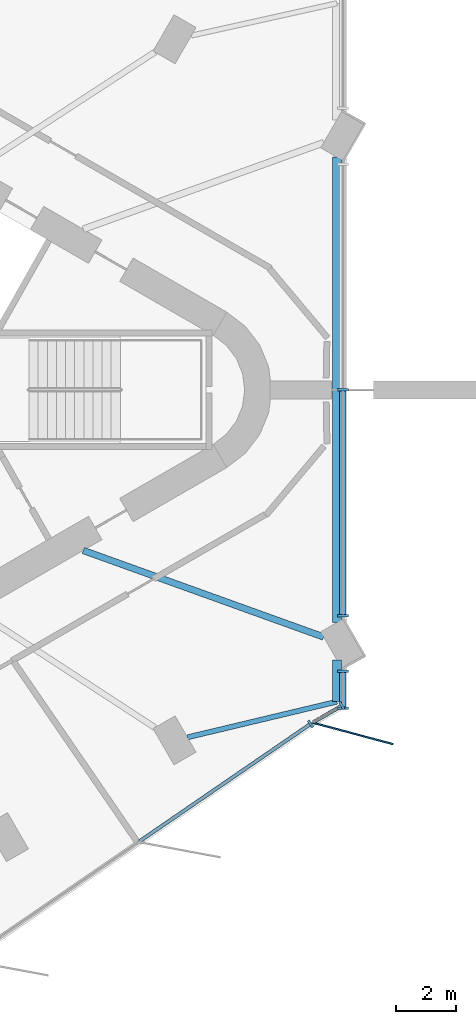
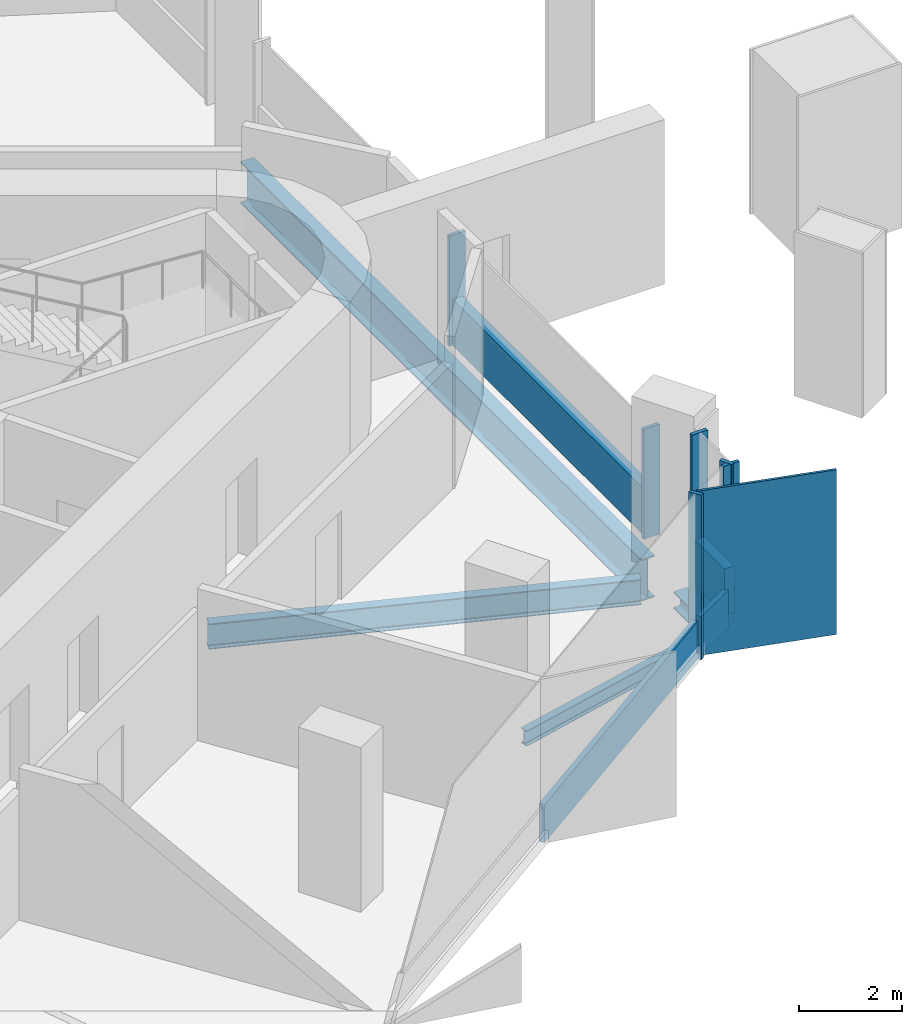
# One storey, part 3 of 12: 11 members, 4 beams, 4 elements without a shape of their own.
"""IFC4 building model written with IfcOpenShell, lengths in metres."""

from ifc_helpers import new_model, si_unit, direction, frame, origin, origin_2d, place, context, subcontext, project, spatial, rectangle, i_section, extrude, material, material_profile, profile_set, type_object, element, aggregate, save


model = new_model("IFC4")

# Units and contexts
model_context = context("Model", 3, precision=1e-05, world=origin(), true_north=direction((0.0, 1.0)))
body_context = subcontext(model_context, "Body", "Model", "MODEL_VIEW")
ifc_project = project(units=[si_unit("LENGTHUNIT", "METRE"), si_unit("AREAUNIT", "SQUARE_METRE"), si_unit("VOLUMEUNIT", "CUBIC_METRE"), si_unit("PLANEANGLEUNIT", "RADIAN"), si_unit("MASSUNIT", "GRAM", prefix="KILO")], contexts=[model_context])

# Site, building, storey
site_placement = place(None, origin())
site = spatial("IfcSite", under=ifc_project, at=site_placement, CompositionType="ELEMENT")
building_placement = place(site_placement, origin())
building = spatial("IfcBuilding", under=site, at=building_placement, Name="Tanit Gate Tower", CompositionType="ELEMENT")
storey_placement = place(building_placement, frame((0.0, 0.0, 376.699951171875)))
storey = spatial("IfcBuildingStorey", under=building, at=storey_placement, Name="L86", CompositionType="ELEMENT", Elevation=376.699951171875)

# Beams
ifc_material_1 = material(Name="Steel S355", Category="steel")
ifc_material_profile_1 = material_profile(ifc_material_1, i_section(OverallWidth=0.300048828125, OverallDepth=0.989990234375, WebThickness=0.0166015625, FlangeThickness=0.031005859375, FilletRadius=0.030029296875, at=origin_2d()), Name="HEA 1000")
ifc_profile_set_1 = profile_set([ifc_material_profile_1], Name="Steel S355")
beam_type_1 = type_object("IfcBeamType", Name="EDGE BEAM HEA 1000 S355", PredefinedType="BEAM", material=ifc_profile_set_1)
beam_1_placement = place(storey_placement, frame((23.3798828125, 7.7734375, -0.794921875), z_axis=(0.0, -1.0, 0.0), x_axis=(1.0, 0.0, 0.0)))
element("IfcBeam", 1, at=beam_1_placement, inside=storey, type_object=beam_type_1, Name="EDGE BEAM", PredefinedType="BEAM", context=body_context, shape_type="SweptSolid", body=[
    extrude(i_section(OverallWidth=0.300048828125, OverallDepth=0.989990234375, WebThickness=0.0166015625, FlangeThickness=0.031005859375, FilletRadius=0.030029296875, at=origin_2d()), origin(), (0.0, 0.0, 1.0), 15.546875),
])
ifc_material_2 = material(Name="Steel S355", Category="steel")
ifc_material_profile_2 = material_profile(ifc_material_2, i_section(OverallWidth=0.300048828125, OverallDepth=0.389892578125, WebThickness=0.010986328125, FlangeThickness=0.01904296875, FilletRadius=0.027099609375, at=origin_2d()), Name="HEA 400")
ifc_profile_set_2 = profile_set([ifc_material_profile_2], Name="Steel S355")
beam_type_2 = type_object("IfcBeamType", Name="EDGE BEAM HEA 400 S355", PredefinedType="BEAM", material=ifc_profile_set_2)
beam_2_placement = place(storey_placement, frame((23.3798828125, -9.02197265625, -0.494873046875), z_axis=(0.0, -1.0, 0.0), x_axis=(1.0, 0.0, 0.0)))
element("IfcBeam", 2, at=beam_2_placement, inside=storey, type_object=beam_type_2, Name="EDGE BEAM", PredefinedType="BEAM", context=body_context, shape_type="SweptSolid", body=[
    extrude(i_section(OverallWidth=0.300048828125, OverallDepth=0.389892578125, WebThickness=0.010986328125, FlangeThickness=0.01904296875, FilletRadius=0.027099609375, at=origin_2d()), origin(), (0.0, 0.0, 1.0), 1.394775390625),
])

# Curtain wall, member
ifc_material_3 = material(Name="Aluminium bronze anodised and glass", Category="aluminium")
curtain_wall_type_1 = type_object("IfcCurtainWallType", Name="Curtain wall typical high", PredefinedType="NOTDEFINED", material=ifc_material_3)
curtain_wall_1_placement = place(storey_placement, origin())
curtain_wall_1 = element("IfcCurtainWall", 3, at=curtain_wall_1_placement, inside=storey, type_object=curtain_wall_type_1, Name="Curtain wall L86 SE3c", PredefinedType="NOTDEFINED")
ifc_material_4 = material(Name="Aluminium bronze anodised", Category="aluminium")
ifc_material_profile_3 = material_profile(ifc_material_4, rectangle(XDim=2.800048828125, YDim=0.055908203125, at=origin_2d()), Name="56x2800 bronze fin mullion")
ifc_profile_set_3 = profile_set([ifc_material_profile_3], Name="Aluminium bronze anodised")
member_type_1 = type_object("IfcMemberType", Name="FIN MULLION 56x2800 bronze", PredefinedType="MULLION", material=ifc_profile_set_3)
member_1_placement = place(storey_placement, frame((23.90185546875, -11.473388671875, -0.300048828125), z_axis=(0.0, 0.0, 1.0), x_axis=(-0.966279959812, 0.257493765489, 0.0)))
member_1 = element("IfcMember", 4, at=member_1_placement, type_object=member_type_1, Name="Fin mullion L86 SE3c.1", PredefinedType="MULLION", context=body_context, shape_type="SweptSolid", body=[
    extrude(rectangle(XDim=2.800048828125, YDim=0.055908203125, at=origin_2d()), origin(), (0.0, 0.0, 1.0), 3.900146484375),
])

curtain_wall_2_placement = place(storey_placement, origin())
curtain_wall_2 = element("IfcCurtainWall", 5, at=curtain_wall_2_placement, inside=storey, type_object=curtain_wall_type_1, Name="Curtain wall L86 SE2", PredefinedType="NOTDEFINED")
ifc_material_5 = material(Name="Aluminium bronze anodised", Category="aluminium")
ifc_material_profile_4 = material_profile(ifc_material_5, rectangle(XDim=0.280029296875, YDim=0.080078125, at=origin_2d()), Name="80x280 bronze mullion")
ifc_profile_set_4 = profile_set([ifc_material_profile_4], Name="Aluminium bronze anodised")
member_type_2 = type_object("IfcMemberType", Name="Mullion 80x280 typical high", PredefinedType="MULLION", material=ifc_profile_set_4)
member_2_placement = place(storey_placement, frame((22.50048828125, -11.16064453125, -0.300048828125), z_axis=(0.0, 0.0, 1.0), x_axis=(-0.565779513784, 0.824556572821, 0.0)))
member_2 = element("IfcMember", 6, at=member_2_placement, type_object=member_type_2, Name="Mullion L86 SE2.5", PredefinedType="MULLION", context=body_context, shape_type="SweptSolid", body=[
    extrude(rectangle(XDim=0.280029296875, YDim=0.080078125, at=origin_2d()), origin(), (0.0, 0.0, 1.0), 3.900146484375),
])

# Member
member_3_placement = place(storey_placement, frame((23.5458984375, -10.5517578125, -0.300048828125), z_axis=(0.0, 0.0, 1.0), x_axis=(-0.501187524417, 0.865338699798, 0.0)))
member_3 = element("IfcMember", 7, at=member_3_placement, type_object=member_type_2, Name="Mullion L86 SE3c.2", PredefinedType="MULLION", context=body_context, shape_type="SweptSolid", body=[
    extrude(rectangle(XDim=0.280029296875, YDim=0.080078125, at=origin_2d()), origin(), (0.0, 0.0, 1.0), 3.900146484375),
])

# Curtain wall, members
ifc_material_6 = material(Name="Aluminium bronze anodised and glass", Category="aluminium")
curtain_wall_type_2 = type_object("IfcCurtainWallType", Name="Curtain wall portal glazing", PredefinedType="NOTDEFINED", material=ifc_material_6)
curtain_wall_3_placement = place(storey_placement, origin())
curtain_wall_3 = element("IfcCurtainWall", 8, at=curtain_wall_3_placement, inside=storey, type_object=curtain_wall_type_2, Name="Curtain wall L86 NOTCH2", PredefinedType="NOTDEFINED")
ifc_material_7 = material(Name="Aluminium bronze anodised", Category="aluminium")
ifc_material_profile_5 = material_profile(ifc_material_7, rectangle(XDim=0.360107421875, YDim=0.080078125, at=origin_2d()), Name="80x360 bronze mullion")
ifc_profile_set_5 = profile_set([ifc_material_profile_5], Name="Aluminium bronze anodised")
member_type_3 = type_object("IfcMemberType", Name="Mullion 80x360 portal glazing", PredefinedType="MULLION", material=ifc_profile_set_5)
member_4_placement = place(storey_placement, frame((23.580078125, 0.0, 0.0), z_axis=(0.0, 0.0, 1.0), x_axis=(1.0, 0.0, 0.0)))
member_4 = element("IfcMember", 9, at=member_4_placement, type_object=member_type_3, Name="Mullion L86 NOTCH2.2", PredefinedType="MULLION", context=body_context, shape_type="SweptSolid", body=[
    extrude(rectangle(XDim=0.360107421875, YDim=0.080078125, at=origin_2d()), origin(), (0.0, 0.0, 1.0), 2.610107421875),
])
member_5_placement = place(storey_placement, frame((23.580078125, -7.540283203125, 0.0), z_axis=(0.0, 0.0, 1.0), x_axis=(1.0, 0.0, 0.0)))
member_5 = element("IfcMember", 10, at=member_5_placement, type_object=member_type_3, Name="Mullion L86 NOTCH2.3", PredefinedType="MULLION", context=body_context, shape_type="SweptSolid", body=[
    extrude(rectangle(XDim=0.360107421875, YDim=0.080078125, at=origin_2d()), origin(), (0.0, 0.0, 1.0), 2.610107421875),
])

curtain_wall_4_placement = place(storey_placement, origin())
curtain_wall_4 = element("IfcCurtainWall", 11, at=curtain_wall_4_placement, inside=storey, type_object=curtain_wall_type_2, Name="Curtain wall L86 NOTCH3", PredefinedType="NOTDEFINED")
member_6_placement = place(storey_placement, frame((23.580078125, -9.404541015625, 0.0), z_axis=(0.0, 0.0, 1.0), x_axis=(1.0, 0.0, 0.0)))
member_6 = element("IfcMember", 12, at=member_6_placement, type_object=member_type_3, Name="Mullion L86 NOTCH3.1", PredefinedType="MULLION", context=body_context, shape_type="SweptSolid", body=[
    extrude(rectangle(XDim=0.360107421875, YDim=0.080078125, at=origin_2d()), origin(), (0.0, 0.0, 1.0), 3.60009765625),
])
member_7_placement = place(storey_placement, frame((23.580078125, -10.630126953125, 0.0), z_axis=(0.0, 0.0, 1.0), x_axis=(1.0, 0.0, 0.0)))
member_7 = element("IfcMember", 13, at=member_7_placement, type_object=member_type_3, Name="Mullion L86 NOTCH3.2", PredefinedType="MULLION", context=body_context, shape_type="SweptSolid", body=[
    extrude(rectangle(XDim=0.360107421875, YDim=0.080078125, at=origin_2d()), origin(), (0.0, 0.0, 1.0), 3.60009765625),
])

# Beams
ifc_material_8 = material(Name="Steel S355", Category="steel")
ifc_material_profile_6 = material_profile(ifc_material_8, i_section(OverallWidth=0.219970703125, OverallDepth=0.60009765625, WebThickness=0.011962890625, FlangeThickness=0.01904296875, FilletRadius=0.02392578125, at=origin_2d()), Name="IPE 600")
ifc_profile_set_6 = profile_set([ifc_material_profile_6], Name="Steel S355")
beam_type_3 = type_object("IfcBeamType", Name="RADIAL GIRDER IPE 600 S355", PredefinedType="BEAM", material=ifc_profile_set_6)
beam_3_placement = place(storey_placement, frame((22.935302734375, -8.255615234375, -0.599853515625), z_axis=(-0.940899815791, 0.338685010952, 0.0), x_axis=(-0.338685010952, -0.940899815791, 0.0)))
element("IfcBeam", 14, at=beam_3_placement, inside=storey, type_object=beam_type_3, Name="RADIAL GIRDER", PredefinedType="BEAM", context=body_context, shape_type="SweptSolid", body=[
    extrude(i_section(OverallWidth=0.219970703125, OverallDepth=0.60009765625, WebThickness=0.011962890625, FlangeThickness=0.01904296875, FilletRadius=0.02392578125, at=origin_2d()), origin(), (0.0, 0.0, 1.0), 8.530517578125),
])
ifc_material_9 = material(Name="Steel S355", Category="steel")
ifc_material_profile_7 = material_profile(ifc_material_9, i_section(OverallWidth=0.169921875, OverallDepth=0.360107421875, WebThickness=0.008056640625, FlangeThickness=0.0126953125, FilletRadius=0.01806640625, at=origin_2d()), Name="IPE 360")
ifc_profile_set_7 = profile_set([ifc_material_profile_7], Name="Steel S355")
beam_type_4 = type_object("IfcBeamType", Name="RING BEAM IPE 360 S355", PredefinedType="BEAM", material=ifc_profile_set_7)
beam_4_placement = place(storey_placement, frame((23.3798828125, -10.416748046875, -0.47998046875), z_axis=(-0.972710676559, -0.232021420795, 0.0), x_axis=(0.232021420795, -0.972710676559, 0.0)))
element("IfcBeam", 15, at=beam_4_placement, inside=storey, type_object=beam_type_4, Name="RING BEAM", PredefinedType="BEAM", context=body_context, shape_type="SweptSolid", body=[
    extrude(i_section(OverallWidth=0.169921875, OverallDepth=0.360107421875, WebThickness=0.008056640625, FlangeThickness=0.0126953125, FilletRadius=0.01806640625, at=origin_2d()), origin(), (0.0, 0.0, 1.0), 5.1318359375),
])

# Member
ifc_material_10 = material(Name="Aluminium bronze anodised", Category="aluminium")
ifc_material_profile_8 = material_profile(ifc_material_10, rectangle(XDim=0.1201171875, YDim=0.89990234375, at=origin_2d()), Name="120x900 bronze transom")
ifc_profile_set_8 = profile_set([ifc_material_profile_8], Name="Aluminium bronze anodised")
member_type_4 = type_object("IfcMemberType", Name="Transom 120x900 typical high", PredefinedType="USERDEFINED", material=ifc_profile_set_8)
member_8_placement = place(storey_placement, frame((16.7841796875, -15.083251953125, 0.150146484375), z_axis=(0.824542837355, 0.565799531076, 0.0), x_axis=(-0.565799531076, 0.824542837355, 0.0)))
member_8 = element("IfcMember", 16, at=member_8_placement, type_object=member_type_4, Name="Transom L86 SE2.4", ObjectType="TRANSOM", PredefinedType="USERDEFINED", context=body_context, shape_type="SweptSolid", body=[
    extrude(rectangle(XDim=0.1201171875, YDim=0.89990234375, at=origin_2d()), origin(), (0.0, 0.0, 1.0), 6.892822265625),
])

aggregate(curtain_wall_2, [member_2, member_8])

member_9_placement = place(storey_placement, frame((22.602783203125, -11.09814453125, 0.150146484375), z_axis=(0.865251110065, 0.501338724348, 0.0), x_axis=(-0.501338724348, 0.865251110065, 0.0)))
member_9 = element("IfcMember", 17, at=member_9_placement, type_object=member_type_4, Name="Transom L86 SE3c.1", ObjectType="TRANSOM", PredefinedType="USERDEFINED", context=body_context, shape_type="SweptSolid", body=[
    extrude(rectangle(XDim=0.1201171875, YDim=0.89990234375, at=origin_2d()), origin(), (0.0, 0.0, 1.0), 1.0498046875),
])

aggregate(curtain_wall_1, [member_1, member_3, member_9])

ifc_material_11 = material(Name="Aluminium bronze anodised", Category="aluminium")
ifc_material_profile_9 = material_profile(ifc_material_11, rectangle(XDim=0.219970703125, YDim=1.10009765625, at=origin_2d()), Name="220x1100 bronze transom")
ifc_profile_set_9 = profile_set([ifc_material_profile_9], Name="Aluminium bronze anodised")
member_type_5 = type_object("IfcMemberType", Name="Transom 220x1100 portal glazing", PredefinedType="USERDEFINED", material=ifc_profile_set_9)
member_10_placement = place(storey_placement, frame((23.580078125, -0.0400390625, 0.550048828125), z_axis=(0.0, -1.0, 0.0), x_axis=(1.0, 0.0, 0.0)))
member_10 = element("IfcMember", 18, at=member_10_placement, type_object=member_type_5, Name="Transom L86 NOTCH2.2", ObjectType="TRANSOM", PredefinedType="USERDEFINED", context=body_context, shape_type="SweptSolid", body=[
    extrude(rectangle(XDim=0.219970703125, YDim=1.10009765625, at=origin_2d()), origin(), (0.0, 0.0, 1.0), 7.460205078125),
])

aggregate(curtain_wall_3, [member_4, member_5, member_10])

member_11_placement = place(storey_placement, frame((23.580078125, -9.444580078125, 0.550048828125), z_axis=(0.0, -1.0, 0.0), x_axis=(1.0, 0.0, 0.0)))
member_11 = element("IfcMember", 19, at=member_11_placement, type_object=member_type_5, Name="Transom L86 NOTCH3.1", ObjectType="TRANSOM", PredefinedType="USERDEFINED", context=body_context, shape_type="SweptSolid", body=[
    extrude(rectangle(XDim=0.219970703125, YDim=1.10009765625, at=origin_2d()), origin(), (0.0, 0.0, 1.0), 1.1455078125),
])

aggregate(curtain_wall_4, [member_6, member_7, member_11])

save(model, "model.ifc")
